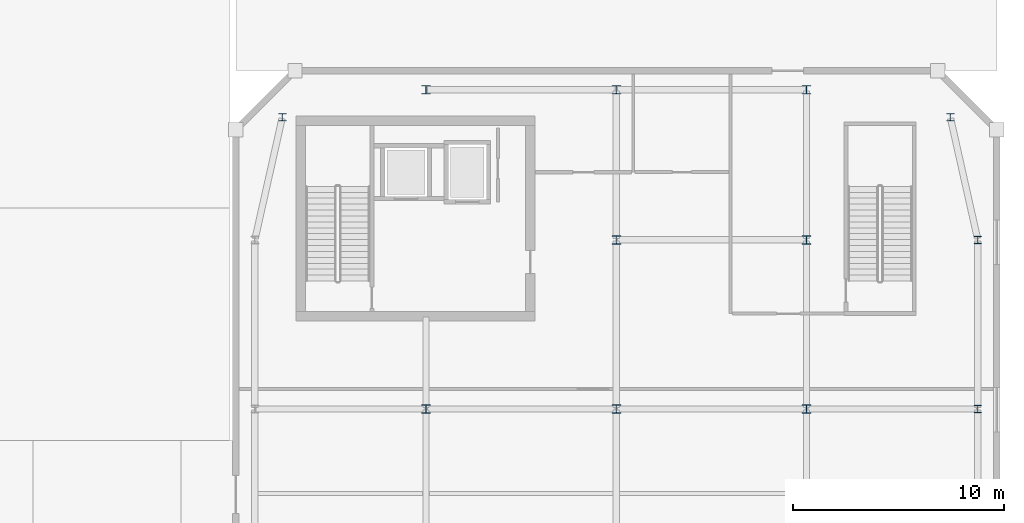
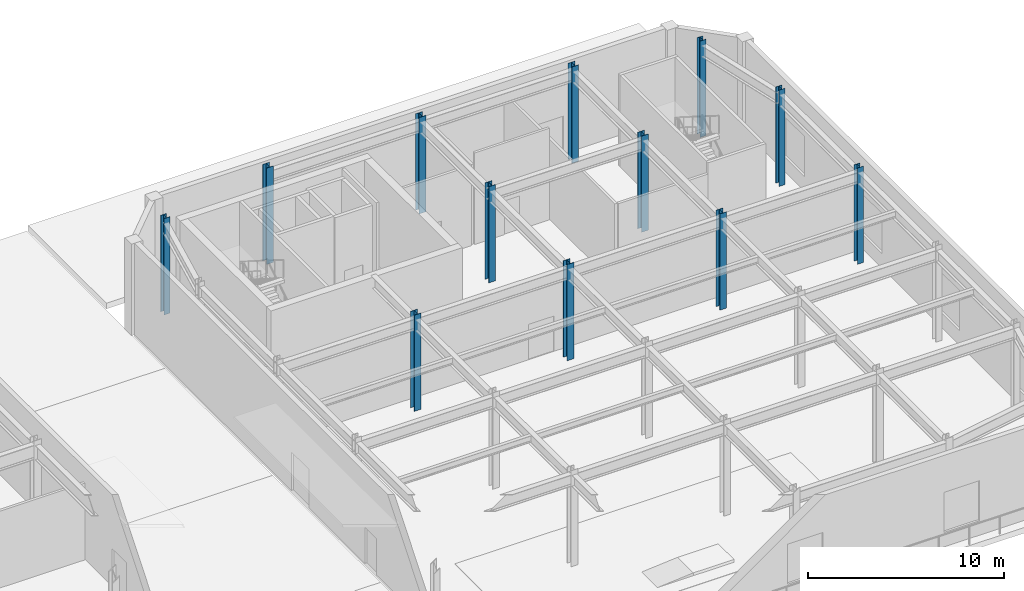
# One storey, part 7 of 23: 12 columns.
"""IFC4 building model written with IfcOpenShell, lengths in metres."""

from ifc_helpers import new_model, si_unit, direction, frame, origin, origin_2d, place, context, subcontext, project, spatial, i_section, extrude, material, material_profile, profile_set, type_object, element, save


model = new_model("IFC4")

# Units and contexts
model_context = context("Model", 3, precision=1e-05, world=origin(), true_north=direction((0.0, 1.0)))
body_context = subcontext(model_context, "Body", "Model", "MODEL_VIEW")
ifc_project = project(units=[si_unit("LENGTHUNIT", "METRE"), si_unit("AREAUNIT", "SQUARE_METRE"), si_unit("VOLUMEUNIT", "CUBIC_METRE"), si_unit("PLANEANGLEUNIT", "RADIAN"), si_unit("MASSUNIT", "GRAM", prefix="KILO")], contexts=[model_context])

# Site, building, storey
site_placement = place(None, origin())
site = spatial("IfcSite", under=ifc_project, at=site_placement, CompositionType="ELEMENT")
building_placement = place(site_placement, origin())
building = spatial("IfcBuilding", under=site, at=building_placement, Name="Saevonmaru Cultural Tower", CompositionType="ELEMENT")
storey_placement = place(building_placement, origin())
storey = spatial("IfcBuildingStorey", under=building, at=storey_placement, Name="L00", CompositionType="ELEMENT", Elevation=0.0)

# Columns
ifc_material = material(Name="Steel SM355", Category="steel")
ifc_material_profile_1 = material_profile(ifc_material, i_section(OverallWidth=0.35009765625, OverallDepth=0.35009765625, WebThickness=0.011962890625, FlangeThickness=0.01904296875, FilletRadius=0.02001953125, at=origin_2d()), Name="H-350x350x12x19")
ifc_profile_set_1 = profile_set([ifc_material_profile_1], Name="Steel SM355")
column_type_1 = type_object("IfcColumnType", Name="COL-H-350", PredefinedType="COLUMN", material=ifc_profile_set_1)
for number, where, z_axis, x_axis, name in (
    (1, (74.39990234375, 45.800048828125, 0.0), (0.0, 0.0, 1.0), (1.0, 0.0, 0.0), "L00 Column LC-9-G"),
    (2, (107.300048828125, 32.0, 0.0), (0.0, 0.0, 1.0), (1.0, 0.0, 0.0), "L00 Column LC-13-E"),
    (3, (107.300048828125, 40.0, 0.0), (0.0, 0.0, 1.0), (1.0, 0.0, 0.0), "L00 Column LC-13-F"),
    (4, (106.0, 45.800048828125, 0.0), (0.0, 0.0, 1.0), (1.0, 0.0, 0.0), "L00 Column LC-13-G"),
):
    element("IfcColumn", number, at=place(storey_placement, frame(where, z_axis=z_axis, x_axis=x_axis)), inside=storey, type_object=column_type_1, Name=name, PredefinedType="COLUMN", context=body_context, shape_type="SweptSolid", body=[
        extrude(i_section(OverallWidth=0.35009765625, OverallDepth=0.35009765625, WebThickness=0.011962890625, FlangeThickness=0.01904296875, FilletRadius=0.02001953125, at=origin_2d()), origin(), (0.0, 0.0, 1.0), 6.0),
    ])
ifc_material_profile_2 = material_profile(ifc_material, i_section(OverallWidth=0.39990234375, OverallDepth=0.39990234375, WebThickness=0.012939453125, FlangeThickness=0.02099609375, FilletRadius=0.02197265625, at=origin_2d()), Name="H-400x400x13x21")
ifc_profile_set_2 = profile_set([ifc_material_profile_2], Name="Steel SM355")
column_type_2 = type_object("IfcColumnType", Name="COL-H-400", PredefinedType="COLUMN", material=ifc_profile_set_2)
for number, where, z_axis, x_axis, name in (
    (5, (81.199951171875, 32.0, 0.0), (0.0, 0.0, 1.0), (1.0, 0.0, 0.0), "L00 Column LC-10-E"),
    (6, (81.199951171875, 47.10009765625, 0.0), (0.0, 0.0, 1.0), (1.0, 0.0, 0.0), "L00 Column LC-10-G"),
    (7, (90.199951171875, 32.0, 0.0), (0.0, 0.0, 1.0), (1.0, 0.0, 0.0), "L00 Column LC-11-E"),
    (8, (90.199951171875, 40.0, 0.0), (0.0, 0.0, 1.0), (1.0, 0.0, 0.0), "L00 Column LC-11-F"),
    (9, (90.199951171875, 47.10009765625, 0.0), (0.0, 0.0, 1.0), (1.0, 0.0, 0.0), "L00 Column LC-11-G"),
    (10, (99.199951171875, 32.0, 0.0), (0.0, 0.0, 1.0), (1.0, 0.0, 0.0), "L00 Column LC-12-E"),
    (11, (99.199951171875, 40.0, 0.0), (0.0, 0.0, 1.0), (1.0, 0.0, 0.0), "L00 Column LC-12-F"),
    (12, (99.199951171875, 47.10009765625, 0.0), (0.0, 0.0, 1.0), (1.0, 0.0, 0.0), "L00 Column LC-12-G"),
):
    element("IfcColumn", number, at=place(storey_placement, frame(where, z_axis=z_axis, x_axis=x_axis)), inside=storey, type_object=column_type_2, Name=name, PredefinedType="COLUMN", context=body_context, shape_type="SweptSolid", body=[
        extrude(i_section(OverallWidth=0.39990234375, OverallDepth=0.39990234375, WebThickness=0.012939453125, FlangeThickness=0.02099609375, FilletRadius=0.02197265625, at=origin_2d()), origin(), (0.0, 0.0, 1.0), 6.0),
    ])

save(model, "model.ifc")
